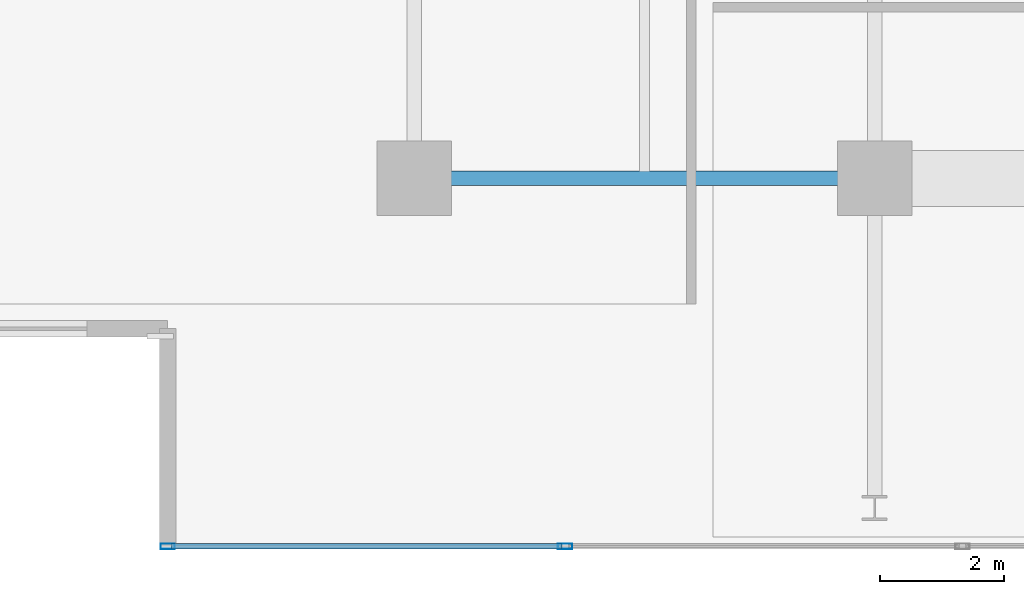
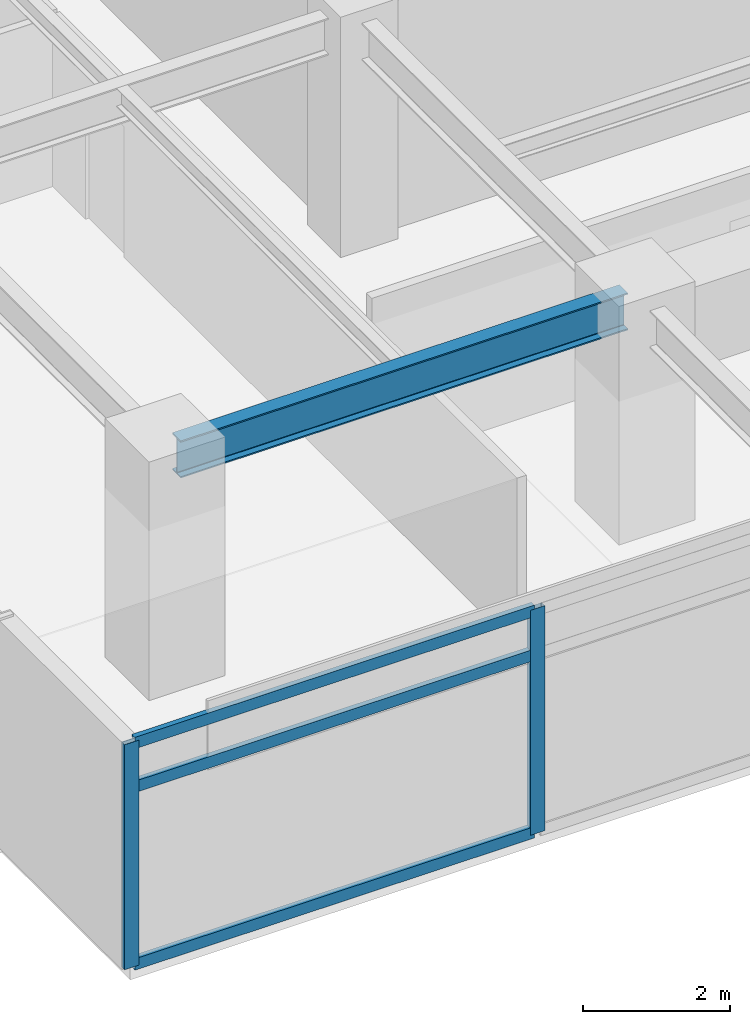
# One storey, part 2 of 21: 5 members, 1 beam, 1 element without a shape of its own.
"""IFC4 building model written with IfcOpenShell, lengths in metres."""

import ifcopenshell
import ifcopenshell.guid

model = None  # the IFC model being written
_history = None  # IfcOwnerHistory: only IFC2X3 demands one
_inside = {}  # id of a spatial element -> (the spatial element, [elements in it])
_under = {}  # id of a project, library or spatial element -> (it, [spatial elements below it])
_declared = {}  # id of a project -> (the project, [libraries it declares])
_typed = {}  # id of a type object -> (the type object, [elements of that type])
_made_of = {}  # id of a material, layer set ... -> (it, [elements and type objects made of it])


def new_model(schema):
    """Start an empty IFC model of exactly this schema.

    Asked for "IFC4X3", IfcOpenShell would pick the latest addendum, in which some entities
    have other attributes; the version numbers below select the first issue.
    IFC2X3 requires an IfcOwnerHistory on every rooted entity: one is made here for all.
    """
    global model, _history
    if schema == "IFC4X3":
        model = ifcopenshell.file(schema_version=(4, 3, 0, 0))
    else:
        model = ifcopenshell.file(schema=schema)
    _inside.clear()
    _under.clear()
    _declared.clear()
    _typed.clear()
    _made_of.clear()
    _history = None
    if model.schema == "IFC2X3":
        org = make("IfcOrganization", Name="unknown")
        user = make(
            "IfcPersonAndOrganization",
            ThePerson=make("IfcPerson", FamilyName="unknown"),
            TheOrganization=org,
        )
        app = make(
            "IfcApplication",
            ApplicationDeveloper=org,
            Version="unknown",
            ApplicationFullName="unknown",
            ApplicationIdentifier="unknown",
        )
        _history = make(
            "IfcOwnerHistory",
            OwningUser=user,
            OwningApplication=app,
            ChangeAction="ADDED",
            CreationDate=0,
        )
    return model


def make(cls, **values):
    """One entity of the class cls with the attributes given. An attribute that is None is left unset."""
    return model.create_entity(
        cls, **{name: value for name, value in values.items() if value is not None}
    )


def rooted(cls, **values):
    """An entity with a GlobalId (a new one), such as an element, a storey or a relation."""
    return make(cls, GlobalId=ifcopenshell.guid.new(), OwnerHistory=_history, **values)


def si_unit(unit_type, name, prefix=None):
    """IfcSIUnit, for example si_unit("LENGTHUNIT", "METRE", prefix="MILLI")."""
    return make("IfcSIUnit", UnitType=unit_type, Prefix=prefix, Name=name)


def assignment(units):
    """IfcUnitAssignment: the units of a project."""
    return None if units is None else make("IfcUnitAssignment", Units=units)


def point(xyz):
    """IfcCartesianPoint."""
    return None if xyz is None else make("IfcCartesianPoint", Coordinates=xyz)


def direction(xyz):
    """IfcDirection."""
    return None if xyz is None else make("IfcDirection", DirectionRatios=xyz)


def frame(location, z_axis=None, x_axis=None):
    """IfcAxis2Placement3D, a coordinate frame: its origin and axes. An axis left out is left unset."""
    return make(
        "IfcAxis2Placement3D",
        Location=point(location),
        Axis=direction(z_axis),
        RefDirection=direction(x_axis),
    )


def frame_2d(location, x_axis=None):
    """IfcAxis2Placement2D, a coordinate frame in the plane: its origin and x axis."""
    return make(
        "IfcAxis2Placement2D", Location=point(location), RefDirection=direction(x_axis)
    )


def origin():
    """The frame at (0, 0, 0) with its axes left unset."""
    return frame((0.0, 0.0, 0.0))


def origin_2d():
    """The frame at (0, 0) in the plane with its x axis left unset."""
    return frame_2d((0.0, 0.0))


def place(relative_to, where):
    """IfcLocalPlacement: puts the frame where relative to a parent placement (None: the world)."""
    return make(
        "IfcLocalPlacement", PlacementRelTo=relative_to, RelativePlacement=where
    )


def context(
    kind, dimensions, precision=None, world=None, true_north=None, identifier=None
):
    """IfcGeometricRepresentationContext, for example the 3D "Model" context."""
    return make(
        "IfcGeometricRepresentationContext",
        ContextIdentifier=identifier,
        ContextType=kind,
        CoordinateSpaceDimension=dimensions,
        Precision=precision,
        WorldCoordinateSystem=world,
        TrueNorth=true_north,
    )


def subcontext(parent, identifier, kind, view, scale=None):
    """IfcGeometricRepresentationSubContext, for example "Body" below "Model"."""
    return make(
        "IfcGeometricRepresentationSubContext",
        ContextIdentifier=identifier,
        ContextType=kind,
        ParentContext=parent,
        TargetScale=scale,
        TargetView=view,
    )


def project(units=None, contexts=None):
    """IfcProject with its units and contexts."""
    return rooted(
        "IfcProject",
        Name="project",
        RepresentationContexts=contexts,
        UnitsInContext=assignment(units),
    )


def spatial(cls, under=None, at=None, **own):
    """A site, building, storey or space (cls), placed at a placement, below another one or the project."""
    s = rooted(cls, ObjectPlacement=at, **own)
    if under is not None:
        _under.setdefault(under.id(), (under, []))[1].append(s)
    return s


def profile(cls, at=None, kind="AREA", **sizes):
    """A parametric profile (cls). Its sizes go by their IFC names, for example OverallWidth=200.0."""
    return make(cls, ProfileType=kind, Position=at, **sizes)


def hollow_rectangle(**sizes):
    """IfcRectangleHollowProfileDef."""
    return profile("IfcRectangleHollowProfileDef", **sizes)


def i_section(**sizes):
    """IfcIShapeProfileDef."""
    return profile("IfcIShapeProfileDef", **sizes)


def extrude(swept, where, along, depth):
    """IfcExtrudedAreaSolid: the profile swept, set in the frame where, extruded along a direction by depth."""
    return make(
        "IfcExtrudedAreaSolid",
        SweptArea=swept,
        Position=where,
        ExtrudedDirection=direction(along),
        Depth=depth,
    )


def shape(context_of_items, identifier, shape_type, items):
    """IfcShapeRepresentation: the items that make up one representation, for example the "Body"."""
    return make(
        "IfcShapeRepresentation",
        ContextOfItems=context_of_items,
        RepresentationIdentifier=identifier,
        RepresentationType=shape_type,
        Items=items,
    )


def material(Name=None, Category=None):
    """IfcMaterial."""
    return make("IfcMaterial", Name=Name, Category=Category)


def material_profile(
    of_material, cross_section, Name=None, Category=None, Priority=None
):
    """IfcMaterialProfile: a cross section and its material."""
    return make(
        "IfcMaterialProfile",
        Name=Name,
        Material=of_material,
        Profile=cross_section,
        Priority=Priority,
        Category=Category,
    )


def profile_set(profiles, Name=None, composite=None):
    """IfcMaterialProfileSet."""
    return make(
        "IfcMaterialProfileSet",
        Name=Name,
        MaterialProfiles=profiles,
        CompositeProfile=composite,
    )


def made_of(thing, what):
    """Note that an element or type object is made of a material, layer set ...; save() writes the relation."""
    if what is not None:
        _made_of.setdefault(what.id(), (what, []))[1].append(thing)
    return thing


def type_object(cls, material=None, **own):
    """A type object (cls), such as IfcWallType, which elements share."""
    return made_of(rooted(cls, **own), material)


def element(
    cls,
    number,
    at=None,
    inside=None,
    cuts=None,
    type_object=None,
    material=None,
    context=None,
    identifier="Body",
    shape_type=None,
    held_by="IfcProductDefinitionShape",
    body=None,
    shapes=None,
    **own,
):
    """One element of the class cls, such as IfcWall. Its Tag is "e" and its number.

    at: its placement. inside: the storey or other place that contains it. cuts: it is an
    opening in that element (IfcRelVoidsElement). A single representation is given by context,
    identifier, shape_type and body (its items); several are given by shapes. held_by: the class
    of the entity that holds the representations. save() writes the other relations.
    """
    e = rooted(cls, Tag="e%d" % number, ObjectPlacement=at, **own)
    if body is not None:
        shapes = [shape(context, identifier, shape_type, body)]
    if shapes is not None:
        e.Representation = make(held_by, Representations=shapes)
    if inside is not None:
        _inside.setdefault(inside.id(), (inside, []))[1].append(e)
    if cuts is not None:
        rooted(
            "IfcRelVoidsElement", RelatingBuildingElement=cuts, RelatedOpeningElement=e
        )
    if type_object is not None:
        _typed.setdefault(type_object.id(), (type_object, []))[1].append(e)
    return made_of(e, material)


def aggregate(whole, parts):
    """IfcRelAggregates: a whole, such as a stair, and the parts it consists of."""
    return rooted("IfcRelAggregates", RelatingObject=whole, RelatedObjects=parts)


def save(model, path):
    """Write the relations noted so far, then the file.

    IfcRelAggregates (storeys below a building ...), IfcRelContainedInSpatialStructure (elements
    in a storey), IfcRelDefinesByType, IfcRelAssociatesMaterial and IfcRelDeclares: one each for
    every whole, place, type object, material and project.
    """
    for whole, parts in _under.values():
        aggregate(whole, parts)
    for where, things in _inside.values():
        rooted(
            "IfcRelContainedInSpatialStructure",
            RelatedElements=things,
            RelatingStructure=where,
        )
    for kind, things in _typed.values():
        rooted("IfcRelDefinesByType", RelatedObjects=things, RelatingType=kind)
    for what, things in _made_of.values():
        rooted("IfcRelAssociatesMaterial", RelatedObjects=things, RelatingMaterial=what)
    for by, libraries in _declared.values():
        rooted("IfcRelDeclares", RelatingContext=by, RelatedDefinitions=libraries)
    model.write(path)


model = new_model("IFC4")

# Units and contexts
model_context = context("Model", 3, precision=1e-05, world=origin(), true_north=direction((0.0, 1.0)))
body_context = subcontext(model_context, "Body", "Model", "MODEL_VIEW")
ifc_project = project(units=[si_unit("LENGTHUNIT", "METRE"), si_unit("AREAUNIT", "SQUARE_METRE"), si_unit("VOLUMEUNIT", "CUBIC_METRE"), si_unit("PLANEANGLEUNIT", "RADIAN"), si_unit("MASSUNIT", "GRAM", prefix="KILO")], contexts=[model_context])

# Site, building, storey
site_placement = place(None, origin())
site = spatial("IfcSite", under=ifc_project, at=site_placement, CompositionType="ELEMENT")
building_placement = place(site_placement, origin())
building = spatial("IfcBuilding", under=site, at=building_placement, Name="Kovane Verandah Tower", CompositionType="ELEMENT")
storey_placement = place(building_placement, frame((0.0, 0.0, 247.199951171875)))
storey = spatial("IfcBuildingStorey", under=building, at=storey_placement, Name="L57", CompositionType="ELEMENT", Elevation=247.199951171875)

# Beam
ifc_material_1 = material(Name="Steel S355", Category="steel")
ifc_material_profile_1 = material_profile(ifc_material_1, i_section(OverallWidth=0.230224609375, OverallDepth=0.6171875, WebThickness=0.01318359375, FlangeThickness=0.022216796875, FilletRadius=0.0126953125, at=origin_2d()), Name="UB610x229x140")
ifc_profile_set_1 = profile_set([ifc_material_profile_1], Name="Steel S355")
beam_type = type_object("IfcBeamType", Name="BM-UB610x140", PredefinedType="BEAM", material=ifc_profile_set_1)
beam_placement = place(storey_placement, frame((21.780029296875, 10.800048828125, 3.4765625), z_axis=(1.0, 0.0, 0.0), x_axis=(0.0, 1.0, 0.0)))
element("IfcBeam", 1, at=beam_placement, inside=storey, type_object=beam_type, Name="L57 Primary Tower Girder G-RS1", PredefinedType="BEAM", context=body_context, shape_type="SweptSolid", body=[
    extrude(i_section(OverallWidth=0.230224609375, OverallDepth=0.6171875, WebThickness=0.01318359375, FlangeThickness=0.022216796875, FilletRadius=0.0126953125, at=origin_2d()), origin(), (0.0, 0.0, 1.0), 7.0400390625),
])

# Curtain wall, members
ifc_material_2 = material(Name="Champagne Anodised Aluminium Frame with Low-E Clear Laminated Glass", Category="aluminium")
curtain_wall_type = type_object("IfcCurtainWallType", Name="CW-SYS-05-HIGH", PredefinedType="NOTDEFINED", material=ifc_material_2)
curtain_wall_placement = place(storey_placement, origin())
curtain_wall = element("IfcCurtainWall", 2, at=curtain_wall_placement, inside=storey, type_object=curtain_wall_type, Name="L57 S Unitised Curtain Wall", PredefinedType="NOTDEFINED")
ifc_material_3 = material(Name="Champagne Anodised Aluminium 6063-T6", Category="aluminium")
ifc_material_profile_2 = material_profile(ifc_material_3, hollow_rectangle(XDim=0.0849609375, YDim=0.22998046875, WallThickness=0.00390625, at=origin_2d()), Name="AL85x230x4")
ifc_profile_set_2 = profile_set([ifc_material_profile_2], Name="Champagne Anodised Aluminium 6063-T6")
member_type_1 = type_object("IfcMemberType", Name="CW-MUL-85x230", PredefinedType="MULLION", material=ifc_profile_set_2)
member_1_placement = place(storey_placement, frame((17.633544921875, 4.8818359375, 0.02001953125), z_axis=(0.0, 0.0, 1.0), x_axis=(0.0, -1.0, 0.0)))
member_1 = element("IfcMember", 3, at=member_1_placement, type_object=member_type_1, Name="L57 S Unitised Curtain Wall Mullion 1", PredefinedType="MULLION", context=body_context, shape_type="SweptSolid", body=[
    extrude(hollow_rectangle(XDim=0.0849609375, YDim=0.22998046875, WallThickness=0.00390625, at=origin_2d()), origin(), (0.0, 0.0, 1.0), 3.7451171875),
])
member_2_placement = place(storey_placement, frame((24.02392578125, 4.8818359375, 0.02001953125), z_axis=(0.0, 0.0, 1.0), x_axis=(0.0, -1.0, 0.0)))
member_2 = element("IfcMember", 4, at=member_2_placement, type_object=member_type_1, Name="L57 S Unitised Curtain Wall Mullion 2", PredefinedType="MULLION", context=body_context, shape_type="SweptSolid", body=[
    extrude(hollow_rectangle(XDim=0.0849609375, YDim=0.22998046875, WallThickness=0.00390625, at=origin_2d()), origin(), (0.0, 0.0, 1.0), 3.7451171875),
])
ifc_material_profile_3 = material_profile(ifc_material_3, hollow_rectangle(XDim=0.0849609375, YDim=0.18994140625, WallThickness=0.00390625, at=origin_2d()), Name="AL85x190x4")
ifc_profile_set_3 = profile_set([ifc_material_profile_3], Name="Champagne Anodised Aluminium 6063-T6")
member_type_2 = type_object("IfcMemberType", Name="CW-TRN-85x190", PredefinedType="USERDEFINED", material=ifc_profile_set_3)
member_3_placement = place(storey_placement, frame((17.68359375, 4.8818359375, 0.050048828125), z_axis=(1.0, 0.0, 0.0), x_axis=(0.0, 1.0, 0.0)))
member_3 = element("IfcMember", 5, at=member_3_placement, type_object=member_type_2, Name="L57 S Unitised Curtain Wall Transom TB Bay 1", ObjectType="TRANSOM", PredefinedType="USERDEFINED", context=body_context, shape_type="SweptSolid", body=[
    extrude(hollow_rectangle(XDim=0.0849609375, YDim=0.18994140625, WallThickness=0.00390625, at=origin_2d()), origin(), (0.0, 0.0, 1.0), 6.290283203125),
])
member_4_placement = place(storey_placement, frame((17.68359375, 4.8818359375, 3.005126953125), z_axis=(1.0, 0.0, 0.0), x_axis=(0.0, 1.0, 0.0)))
member_4 = element("IfcMember", 6, at=member_4_placement, type_object=member_type_2, Name="L57 S Unitised Curtain Wall Transom TM Bay 1", ObjectType="TRANSOM", PredefinedType="USERDEFINED", context=body_context, shape_type="SweptSolid", body=[
    extrude(hollow_rectangle(XDim=0.0849609375, YDim=0.18994140625, WallThickness=0.00390625, at=origin_2d()), origin(), (0.0, 0.0, 1.0), 6.290283203125),
])
member_5_placement = place(storey_placement, frame((17.68359375, 4.8818359375, 3.735107421875), z_axis=(1.0, 0.0, 0.0), x_axis=(0.0, 1.0, 0.0)))
member_5 = element("IfcMember", 7, at=member_5_placement, type_object=member_type_2, Name="L57 S Unitised Curtain Wall Transom TT Bay 1", ObjectType="TRANSOM", PredefinedType="USERDEFINED", context=body_context, shape_type="SweptSolid", body=[
    extrude(hollow_rectangle(XDim=0.0849609375, YDim=0.18994140625, WallThickness=0.00390625, at=origin_2d()), origin(), (0.0, 0.0, 1.0), 6.290283203125),
])
aggregate(curtain_wall, [member_1, member_2, member_3, member_4, member_5])

save(model, "model.ifc")
